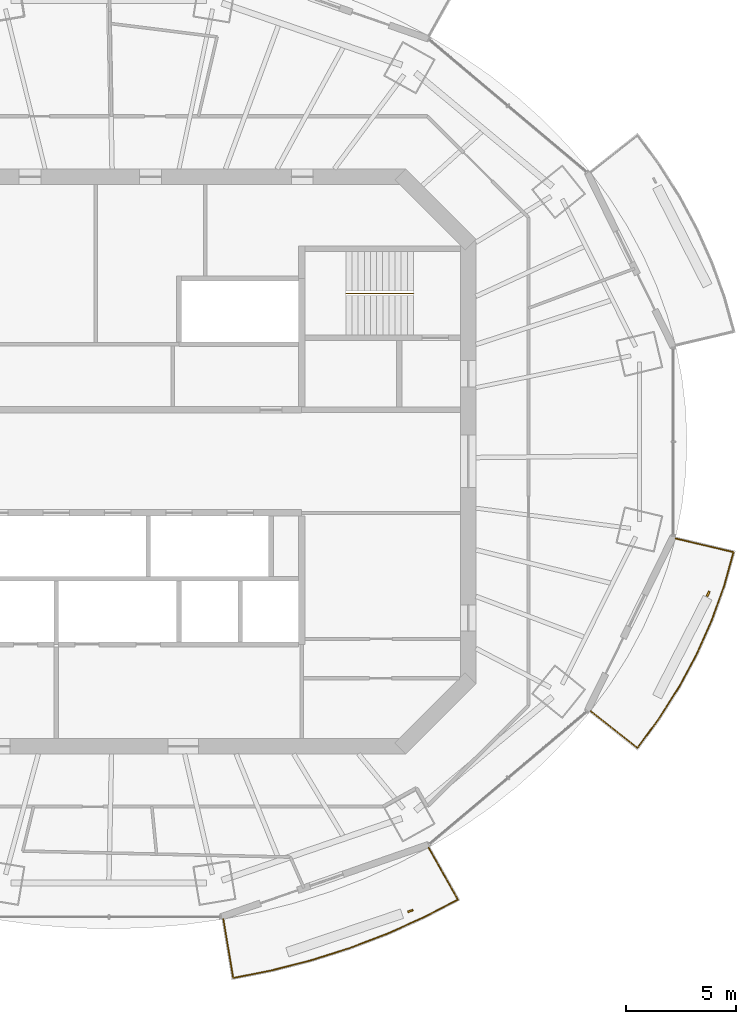
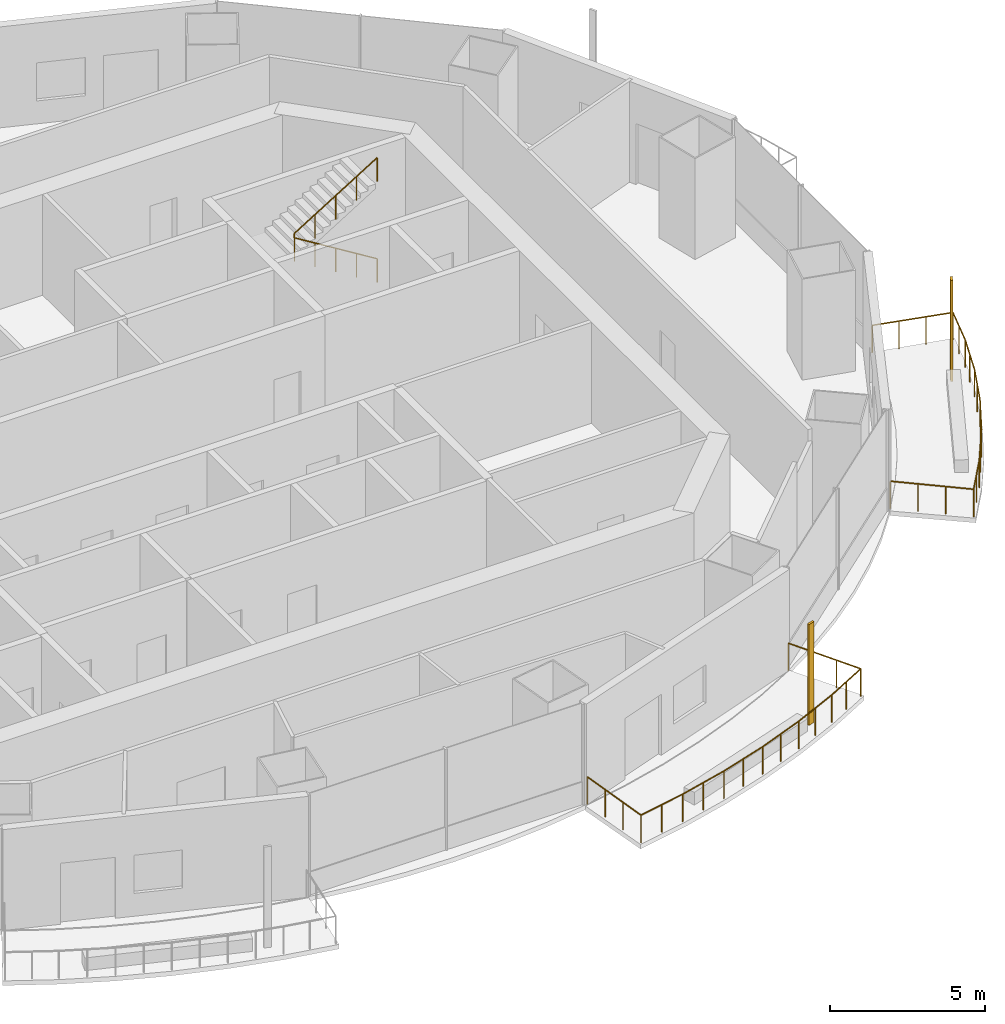
# One storey, part 13 of 16: 3 railings, 2 shading devices.
"""IFC4 building model written with IfcOpenShell, lengths in metres."""

from ifc_helpers import new_model, si_unit, direction, frame, origin, origin_2d, place, context, subcontext, project, spatial, rectangle, circle, extrude, material, material_profile, profile_set, type_object, element, save


model = new_model("IFC4")

# Units and contexts
model_context = context("Model", 3, precision=1e-05, world=origin(), true_north=direction((0.0, 1.0)))
body_context = subcontext(model_context, "Body", "Model", "MODEL_VIEW")
ifc_project = project(units=[si_unit("LENGTHUNIT", "METRE"), si_unit("AREAUNIT", "SQUARE_METRE"), si_unit("VOLUMEUNIT", "CUBIC_METRE"), si_unit("PLANEANGLEUNIT", "RADIAN"), si_unit("MASSUNIT", "GRAM", prefix="KILO")], contexts=[model_context])

# Site, building, storey
site_placement = place(None, origin())
site = spatial("IfcSite", under=ifc_project, at=site_placement, CompositionType="ELEMENT")
building_placement = place(site_placement, origin())
building = spatial("IfcBuilding", under=site, at=building_placement, Name="Marenthal Gate Tower", CompositionType="ELEMENT")
storey_placement = place(building_placement, frame((0.0, 0.0, 367.5)))
storey = spatial("IfcBuildingStorey", under=building, at=storey_placement, Name="L83", CompositionType="ELEMENT", Elevation=367.5)

# Railings
ifc_material_1 = material(Name="Stainless steel", Category="steel")
railing_type_1 = type_object("IfcRailingType", Name="Balcony guard 1100", PredefinedType="GUARDRAIL", material=ifc_material_1)
railing_1_placement = place(storey_placement, frame((14.18896484375, -17.62353515625, 0.0)))
element("IfcRailing", 1, at=railing_1_placement, inside=storey, type_object=railing_type_1, Name="Balcony guard L83 bay 13", PredefinedType="GUARDRAIL", context=body_context, shape_type="SweptSolid", body=[
    extrude(circle(Radius=0.02392578125, at=origin_2d()), frame((0.0, 0.0, 1.076171875), z_axis=(0.490915294113, -0.871082969774, -0.014718484138), x_axis=(0.871177338103, 0.490968477171, 0.0)), (0.0, 0.0, 1.0), 2.72021484375),
    extrude(circle(Radius=0.02392578125, at=origin_2d()), frame((1.33544921875, -2.36962890625, 1.0361328125), z_axis=(-0.886366910687, -0.462983476637, 0.0), x_axis=(0.462983476637, -0.886366910687, 0.0)), (0.0, 0.0, 1.0), 1.738525390625),
    extrude(circle(Radius=0.02392578125, at=origin_2d()), frame((-0.20556640625, -3.174560546875, 1.0361328125), z_axis=(-0.911781695063, -0.410675225146, 0.0), x_axis=(0.410675225146, -0.911781695063, 0.0)), (0.0, 0.0, 1.0), 1.830322265625),
    extrude(circle(Radius=0.02392578125, at=origin_2d()), frame((-1.87451171875, -3.92626953125, 1.0361328125), z_axis=(-0.934231239104, -0.35666790139, 0.0), x_axis=(0.35666790139, -0.934231239104, 0.0)), (0.0, 0.0, 1.0), 1.84130859375),
    extrude(circle(Radius=0.02392578125, at=origin_2d()), frame((-3.5947265625, -4.5830078125, 1.0361328125), z_axis=(-0.953211172176, -0.30230524514, 0.0), x_axis=(0.30230524514, -0.953211172176, 0.0)), (0.0, 0.0, 1.0), 1.85107421875),
    extrude(circle(Radius=0.02392578125, at=origin_2d()), frame((-5.359130859375, -5.142578125, 1.0361328125), z_axis=(-0.968846683281, -0.247661269269, 0.0), x_axis=(0.247661269269, -0.968846683281, 0.0)), (0.0, 0.0, 1.0), 1.859130859375),
    extrude(circle(Radius=0.02392578125, at=origin_2d()), frame((-7.160400390625, -5.60302734375, 1.0361328125), z_axis=(-0.981009399429, -0.193960197546, 0.0), x_axis=(0.193960197546, -0.981009399429, 0.0)), (0.0, 0.0, 1.0), 1.7861328125),
    extrude(circle(Radius=0.02392578125, at=origin_2d()), frame((-8.91259765625, -5.949462890625, 1.0361328125), z_axis=(-0.165414456926, 0.986114290962, 0.01471946334), x_axis=(-0.986221135368, -0.165432379401, 0.0)), (0.0, 0.0, 1.0), 2.72021484375),
    extrude(circle(Radius=0.02099609375, at=origin_2d()), origin(), (0.0, 0.0, 1.0), 1.052001953125),
    extrude(circle(Radius=0.02099609375, at=origin_2d()), frame((0.445068359375, -0.789794921875, -0.013427734375)), (0.0, 0.0, 1.0), 1.052001953125),
    extrude(circle(Radius=0.02099609375, at=origin_2d()), frame((0.890380859375, -1.579833984375, -0.026611328125)), (0.0, 0.0, 1.0), 1.052001953125),
    extrude(circle(Radius=0.02099609375, at=origin_2d()), frame((1.33544921875, -2.36962890625, -0.0400390625)), (0.0, 0.0, 1.0), 1.052001953125),
    extrude(circle(Radius=0.02099609375, at=origin_2d()), frame((0.56494140625, -2.77197265625, -0.0400390625)), (0.0, 0.0, 1.0), 1.052001953125),
    extrude(circle(Radius=0.02099609375, at=origin_2d()), frame((-0.20556640625, -3.174560546875, -0.0400390625)), (0.0, 0.0, 1.0), 1.052001953125),
    extrude(circle(Radius=0.02099609375, at=origin_2d()), frame((-1.0400390625, -3.55029296875, -0.0400390625)), (0.0, 0.0, 1.0), 1.052001953125),
    extrude(circle(Radius=0.02099609375, at=origin_2d()), frame((-1.87451171875, -3.92626953125, -0.0400390625)), (0.0, 0.0, 1.0), 1.052001953125),
    extrude(circle(Radius=0.02099609375, at=origin_2d()), frame((-2.734619140625, -4.254638671875, -0.0400390625)), (0.0, 0.0, 1.0), 1.052001953125),
    extrude(circle(Radius=0.02099609375, at=origin_2d()), frame((-3.5947265625, -4.5830078125, -0.0400390625)), (0.0, 0.0, 1.0), 1.052001953125),
    extrude(circle(Radius=0.02099609375, at=origin_2d()), frame((-4.47705078125, -4.86279296875, -0.0400390625)), (0.0, 0.0, 1.0), 1.052001953125),
    extrude(circle(Radius=0.02099609375, at=origin_2d()), frame((-5.359130859375, -5.142578125, -0.0400390625)), (0.0, 0.0, 1.0), 1.052001953125),
    extrude(circle(Radius=0.02099609375, at=origin_2d()), frame((-6.259765625, -5.372802734375, -0.0400390625)), (0.0, 0.0, 1.0), 1.052001953125),
    extrude(circle(Radius=0.02099609375, at=origin_2d()), frame((-7.160400390625, -5.60302734375, -0.0400390625)), (0.0, 0.0, 1.0), 1.052001953125),
    extrude(circle(Radius=0.02099609375, at=origin_2d()), frame((-8.03662109375, -5.7763671875, -0.0400390625)), (0.0, 0.0, 1.0), 1.052001953125),
    extrude(circle(Radius=0.02099609375, at=origin_2d()), frame((-8.91259765625, -5.949462890625, -0.0400390625)), (0.0, 0.0, 1.0), 1.052001953125),
    extrude(circle(Radius=0.02099609375, at=origin_2d()), frame((-9.0625, -5.055419921875, -0.026611328125)), (0.0, 0.0, 1.0), 1.052001953125),
    extrude(circle(Radius=0.02099609375, at=origin_2d()), frame((-9.212646484375, -4.1611328125, -0.013427734375)), (0.0, 0.0, 1.0), 1.052001953125),
    extrude(circle(Radius=0.02099609375, at=origin_2d()), frame((-9.362548828125, -3.26708984375, 0.0)), (0.0, 0.0, 1.0), 1.052001953125),
])
railing_2_placement = place(storey_placement, frame((25.459716796875, -3.514892578125, 0.0)))
element("IfcRailing", 2, at=railing_2_placement, inside=storey, type_object=railing_type_1, Name="Balcony guard L83 bay 15", PredefinedType="GUARDRAIL", context=body_context, shape_type="SweptSolid", body=[
    extrude(circle(Radius=0.02392578125, at=origin_2d()), frame((0.0, 0.0, 1.076171875), z_axis=(0.973197410229, -0.229499748958, -0.014719577172), x_axis=(0.22952461539, 0.973302856736, 0.0)), (0.0, 0.0, 1.0), 2.72021484375),
    extrude(circle(Radius=0.02392578125, at=origin_2d()), frame((2.647216796875, -0.624267578125, 1.0361328125), z_axis=(-0.268353564757, -0.963320488873, 0.0), x_axis=(0.963320488873, -0.268353564757, 0.0)), (0.0, 0.0, 1.0), 1.5966796875),
    extrude(circle(Radius=0.02392578125, at=origin_2d()), frame((2.21875, -2.162353515625, 1.0361328125), z_axis=(-0.338714333793, -0.940889260266, 0.0), x_axis=(0.940889260266, -0.338714333793, 0.0)), (0.0, 0.0, 1.0), 1.683837890625),
    extrude(circle(Radius=0.02392578125, at=origin_2d()), frame((1.6484375, -3.74658203125, 1.0361328125), z_axis=(-0.407771151083, -0.913084162793, 0.0), x_axis=(0.913084162793, -0.407771151083, 0.0)), (0.0, 0.0, 1.0), 1.69189453125),
    extrude(circle(Radius=0.02392578125, at=origin_2d()), frame((0.95849609375, -5.29150390625, 1.0361328125), z_axis=(-0.473637855675, -0.88071969529, 0.0), x_axis=(0.88071969529, -0.473637855675, 0.0)), (0.0, 0.0, 1.0), 1.7021484375),
    extrude(circle(Radius=0.02392578125, at=origin_2d()), frame((0.15234375, -6.79052734375, 1.0361328125), z_axis=(-0.535611442073, -0.844464554093, 0.0), x_axis=(0.844464554093, -0.535611442073, 0.0)), (0.0, 0.0, 1.0), 1.712890625),
    extrude(circle(Radius=0.02392578125, at=origin_2d()), frame((-0.76513671875, -8.237060546875, 1.0361328125), z_axis=(-0.59246977966, -0.805592676351, 0.0), x_axis=(0.805592676351, -0.59246977966, 0.0)), (0.0, 0.0, 1.0), 1.64501953125),
    extrude(circle(Radius=0.02392578125, at=origin_2d()), frame((-1.73974609375, -9.562255859375, 1.0361328125), z_axis=(-0.783769769253, 0.620877048402, 0.014718681113), x_axis=(-0.6209443126, -0.783854680824, 0.0)), (0.0, 0.0, 1.0), 2.72021484375),
    extrude(circle(Radius=0.02099609375, at=origin_2d()), origin(), (0.0, 0.0, 1.0), 1.052001953125),
    extrude(circle(Radius=0.02099609375, at=origin_2d()), frame((0.88232421875, -0.2080078125, -0.013427734375)), (0.0, 0.0, 1.0), 1.052001953125),
    extrude(circle(Radius=0.02099609375, at=origin_2d()), frame((1.764892578125, -0.416259765625, -0.026611328125)), (0.0, 0.0, 1.0), 1.052001953125),
    extrude(circle(Radius=0.02099609375, at=origin_2d()), frame((2.647216796875, -0.624267578125, -0.0400390625)), (0.0, 0.0, 1.0), 1.052001953125),
    extrude(circle(Radius=0.02099609375, at=origin_2d()), frame((2.43310546875, -1.393310546875, -0.0400390625)), (0.0, 0.0, 1.0), 1.052001953125),
    extrude(circle(Radius=0.02099609375, at=origin_2d()), frame((2.21875, -2.162353515625, -0.0400390625)), (0.0, 0.0, 1.0), 1.052001953125),
    extrude(circle(Radius=0.02099609375, at=origin_2d()), frame((1.93359375, -2.95458984375, -0.0400390625)), (0.0, 0.0, 1.0), 1.052001953125),
    extrude(circle(Radius=0.02099609375, at=origin_2d()), frame((1.6484375, -3.74658203125, -0.0400390625)), (0.0, 0.0, 1.0), 1.052001953125),
    extrude(circle(Radius=0.02099609375, at=origin_2d()), frame((1.303466796875, -4.51904296875, -0.0400390625)), (0.0, 0.0, 1.0), 1.052001953125),
    extrude(circle(Radius=0.02099609375, at=origin_2d()), frame((0.95849609375, -5.29150390625, -0.0400390625)), (0.0, 0.0, 1.0), 1.052001953125),
    extrude(circle(Radius=0.02099609375, at=origin_2d()), frame((0.555419921875, -6.041015625, -0.0400390625)), (0.0, 0.0, 1.0), 1.052001953125),
    extrude(circle(Radius=0.02099609375, at=origin_2d()), frame((0.15234375, -6.79052734375, -0.0400390625)), (0.0, 0.0, 1.0), 1.052001953125),
    extrude(circle(Radius=0.02099609375, at=origin_2d()), frame((-0.306396484375, -7.513671875, -0.0400390625)), (0.0, 0.0, 1.0), 1.052001953125),
    extrude(circle(Radius=0.02099609375, at=origin_2d()), frame((-0.76513671875, -8.237060546875, -0.0400390625)), (0.0, 0.0, 1.0), 1.052001953125),
    extrude(circle(Radius=0.02099609375, at=origin_2d()), frame((-1.25244140625, -8.899658203125, -0.0400390625)), (0.0, 0.0, 1.0), 1.052001953125),
    extrude(circle(Radius=0.02099609375, at=origin_2d()), frame((-1.73974609375, -9.562255859375, -0.0400390625)), (0.0, 0.0, 1.0), 1.052001953125),
    extrude(circle(Radius=0.02099609375, at=origin_2d()), frame((-2.450439453125, -8.999267578125, -0.026611328125)), (0.0, 0.0, 1.0), 1.052001953125),
    extrude(circle(Radius=0.02099609375, at=origin_2d()), frame((-3.1611328125, -8.436279296875, -0.013427734375)), (0.0, 0.0, 1.0), 1.052001953125),
    extrude(circle(Radius=0.02099609375, at=origin_2d()), frame((-3.871826171875, -7.873291015625, 0.0)), (0.0, 0.0, 1.0), 1.052001953125),
])
ifc_material_2 = material(Name="Stainless steel", Category="steel")
railing_type_2 = type_object("IfcRailingType", Name="Stair handrail", PredefinedType="HANDRAIL", material=ifc_material_2)
railing_3_placement = place(storey_placement, frame((13.5, 7.675048828125, 0.1728515625)))
element("IfcRailing", 3, at=railing_3_placement, inside=storey, type_object=railing_type_2, Name="Handrail ST3", PredefinedType="HANDRAIL", context=body_context, shape_type="SweptSolid", body=[
    extrude(circle(Radius=0.0224609375, at=origin_2d()), frame((0.0, 0.0, 0.927490234375), z_axis=(-0.850835241893, 0.0, 0.525432575268), x_axis=(0.0, -1.0, 0.0)), (0.0, 0.0, 1.0), 3.6201171875),
    extrude(circle(Radius=0.0224609375, at=origin_2d()), frame((-3.080078125, 0.0, 2.82958984375), z_axis=(0.0, 0.0, 1.0), x_axis=(1.0, 0.0, 0.0)), (0.0, 0.0, 1.0), 0.1728515625),
    extrude(circle(Radius=0.0224609375, at=origin_2d()), frame((-3.080078125, 0.0, 3.00244140625), z_axis=(0.850835241893, 0.0, 0.525432575268), x_axis=(0.0, 1.0, 0.0)), (0.0, 0.0, 1.0), 3.6201171875),
    extrude(circle(Radius=0.02001953125, at=origin_2d()), origin(), (0.0, 0.0, 1.0), 0.905029296875),
    extrude(circle(Radius=0.02001953125, at=origin_2d()), frame((-0.77001953125, 0.0, 0.4755859375)), (0.0, 0.0, 1.0), 0.905029296875),
    extrude(circle(Radius=0.02001953125, at=origin_2d()), frame((-1.5400390625, 0.0, 0.951171875)), (0.0, 0.0, 1.0), 0.905029296875),
    extrude(circle(Radius=0.02001953125, at=origin_2d()), frame((-2.31005859375, 0.0, 1.426513671875)), (0.0, 0.0, 1.0), 0.905029296875),
    extrude(circle(Radius=0.02001953125, at=origin_2d()), frame((-3.080078125, 0.0, 1.902099609375)), (0.0, 0.0, 1.0), 0.905029296875),
    extrude(circle(Radius=0.02001953125, at=origin_2d()), frame((-3.080078125, 0.0, 2.074951171875)), (0.0, 0.0, 1.0), 0.905029296875),
    extrude(circle(Radius=0.02001953125, at=origin_2d()), frame((-2.31005859375, 0.0, 2.550537109375)), (0.0, 0.0, 1.0), 0.905029296875),
    extrude(circle(Radius=0.02001953125, at=origin_2d()), frame((-1.5400390625, 0.0, 3.02587890625)), (0.0, 0.0, 1.0), 0.905029296875),
    extrude(circle(Radius=0.02001953125, at=origin_2d()), frame((-0.77001953125, 0.0, 3.50146484375)), (0.0, 0.0, 1.0), 0.905029296875),
    extrude(circle(Radius=0.02001953125, at=origin_2d()), frame((0.0, 0.0, 3.97705078125)), (0.0, 0.0, 1.0), 0.905029296875),
])

# Shading devices
ifc_material_3 = material(Name="Terracotta", Category="masonry")
ifc_material_profile = material_profile(ifc_material_3, rectangle(XDim=0.25, YDim=0.080078125, at=origin_2d()), Name="Terracotta baguette 250x80")
ifc_profile_set = profile_set([ifc_material_profile], Name="Terracotta")
shading_device_type = type_object("IfcShadingDeviceType", Name="Terracotta BAGUETTE SCREEN 250x80", PredefinedType="USERDEFINED", material=ifc_profile_set)
for number, where, z_axis, x_axis, name in (
    (4, (13.36181640625, -20.5146484375, -0.0400390625), (0.0, 0.0, 1.0), (0.944118156364, 0.329607200807, 0.0), "Terracotta BAGUETTE L83 bay 13R"),
    (5, (26.953857421875, -6.040771484375, -0.0400390625), (0.0, 0.0, 1.0), (0.441063469926, 0.897475913603, 0.0), "Terracotta BAGUETTE L83 bay 15R"),
):
    element("IfcShadingDevice", number, at=place(storey_placement, frame(where, z_axis=z_axis, x_axis=x_axis)), inside=storey, type_object=shading_device_type, Name=name, ObjectType="BAGUETTE SCREEN", PredefinedType="USERDEFINED", context=body_context, shape_type="SweptSolid", body=[
        extrude(rectangle(XDim=0.25, YDim=0.080078125, at=origin_2d()), origin(), (0.0, 0.0, 1.0), 3.969970703125),
    ])

save(model, "model.ifc")
